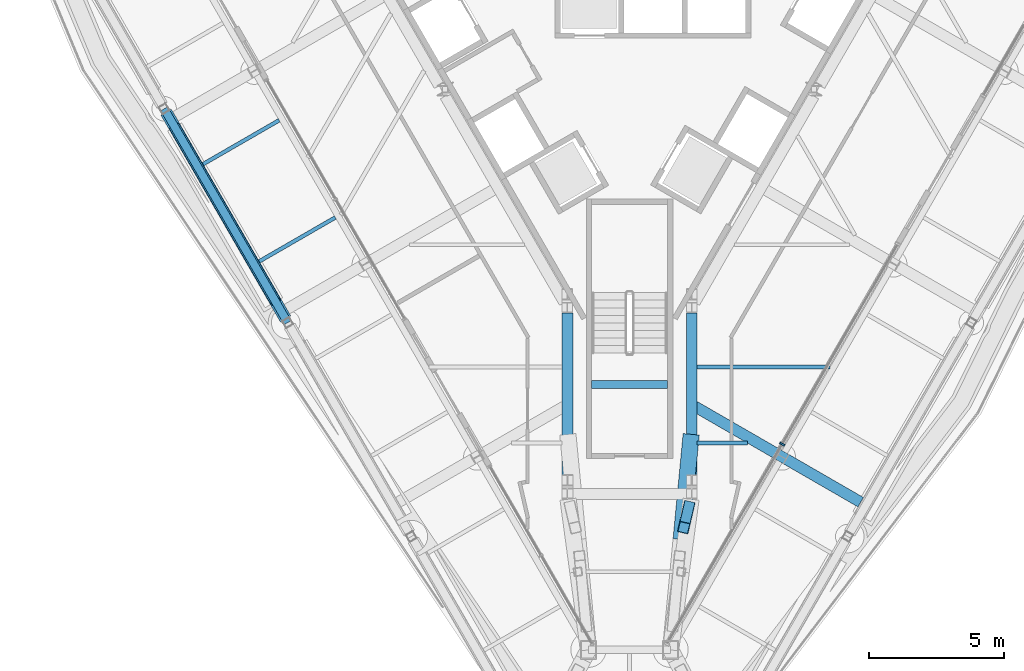
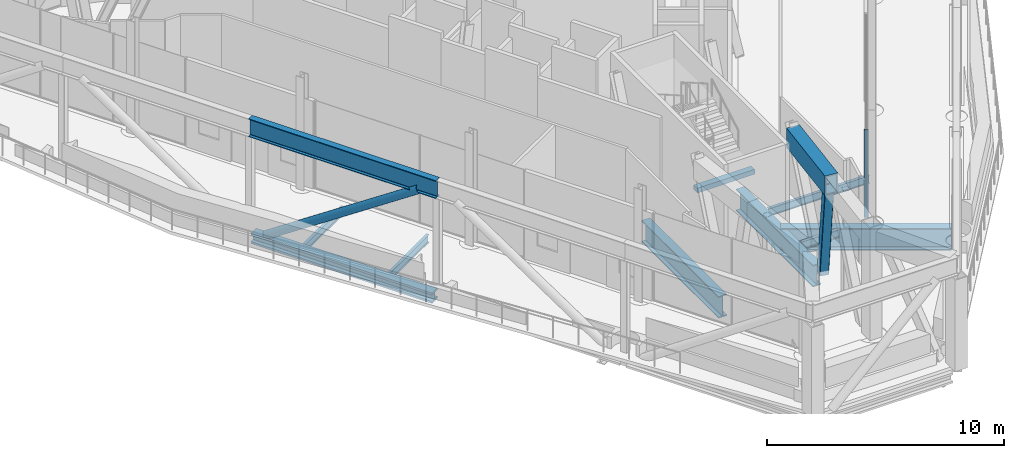
# One storey, part 6 of 25: 11 beams, 3 members, 1 element without a shape of its own.
"""IFC4 building model written with IfcOpenShell, lengths in metres."""

from ifc_helpers import new_model, si_unit, direction, frame, origin, origin_2d, place, context, subcontext, project, spatial, rectangle, hollow_rectangle, hollow_circle, i_section, extrude, material, material_profile, profile_set, type_object, element, aggregate, save


model = new_model("IFC4")

# Units and contexts
model_context = context("Model", 3, precision=1e-05, world=origin(), true_north=direction((0.0, 1.0)))
body_context = subcontext(model_context, "Body", "Model", "MODEL_VIEW")
ifc_project = project(units=[si_unit("LENGTHUNIT", "METRE"), si_unit("AREAUNIT", "SQUARE_METRE"), si_unit("VOLUMEUNIT", "CUBIC_METRE"), si_unit("PLANEANGLEUNIT", "RADIAN"), si_unit("MASSUNIT", "GRAM", prefix="KILO")], contexts=[model_context])

# Site, building, storey
site_placement = place(None, origin())
site = spatial("IfcSite", under=ifc_project, at=site_placement, CompositionType="ELEMENT")
building_placement = place(site_placement, origin())
building = spatial("IfcBuilding", under=site, at=building_placement, Name="Verrane Prism Tower", CompositionType="ELEMENT")
storey_placement = place(building_placement, frame((0.0, 0.0, 258.199951171875)))
storey = spatial("IfcBuildingStorey", under=building, at=storey_placement, Name="L65", CompositionType="ELEMENT", Elevation=258.199951171875)

# Beams
ifc_material_1 = material(Name="Steel A992", Category="steel")
ifc_material_profile_1 = material_profile(ifc_material_1, i_section(OverallWidth=0.44189453125, OverallDepth=0.53076171875, WebThickness=0.06591796875, FlangeThickness=0.105712890625, FilletRadius=0.01513671875, at=origin_2d()), Name="W14x605")
ifc_profile_set_1 = profile_set([ifc_material_profile_1], Name="Steel A992")
beam_type_1 = type_object("IfcBeamType", Name="Belt truss chord W14x605", PredefinedType="BEAM", material=ifc_profile_set_1)
beam_1_placement = place(storey_placement, frame((-17.1337890625, -4.7919921875, -0.424560546875), z_axis=(0.500260093954, -0.865875186385, 0.0), x_axis=(0.865875186385, 0.500260093954, 0.0)))
element("IfcBeam", 1, at=beam_1_placement, inside=storey, type_object=beam_type_1, Name="Belt truss chord L65", PredefinedType="BEAM", context=body_context, shape_type="SweptSolid", body=[
    extrude(i_section(OverallWidth=0.44189453125, OverallDepth=0.53076171875, WebThickness=0.06591796875, FlangeThickness=0.105712890625, FilletRadius=0.01513671875, at=origin_2d()), origin(), (0.0, 0.0, 1.0), 8.830322265625),
])
ifc_material_2 = material(Name="Steel A992", Category="steel")
ifc_material_profile_2 = material_profile(ifc_material_2, i_section(OverallWidth=0.307373046875, OverallDepth=0.927001953125, WebThickness=0.01953125, FlangeThickness=0.031982421875, FilletRadius=0.01904296875, at=origin_2d()), Name="W36x194")
ifc_profile_set_2 = profile_set([ifc_material_profile_2], Name="Steel A992")
beam_type_2 = type_object("IfcBeamType", Name="Belt truss chord W36x194", PredefinedType="BEAM", material=ifc_profile_set_2)
beam_2_placement = place(storey_placement, frame((-17.2099609375, -4.659912109375, 5.176513671875), z_axis=(0.50025756172, -0.86587664938, 0.0), x_axis=(0.86587664938, 0.50025756172, 0.0)))
element("IfcBeam", 2, at=beam_2_placement, inside=storey, type_object=beam_type_2, Name="Belt truss chord L65", PredefinedType="BEAM", context=body_context, shape_type="SweptSolid", body=[
    extrude(i_section(OverallWidth=0.307373046875, OverallDepth=0.927001953125, WebThickness=0.01953125, FlangeThickness=0.031982421875, FilletRadius=0.01904296875, at=origin_2d()), origin(), (0.0, 0.0, 1.0), 9.135498046875),
])

# Member
ifc_material_3 = material(Name="Steel A500 Grade C", Category="steel")
ifc_material_profile_3 = material_profile(ifc_material_3, hollow_circle(Radius=0.203125, WallThickness=0.0126953125, at=origin_2d()), Name="HSS16.000x0.500")
ifc_profile_set_3 = profile_set([ifc_material_profile_3], Name="Steel A500 Grade C")
member_type_1 = type_object("IfcMemberType", Name="Belt truss diagonal HSS16.000x0.500", PredefinedType="BRACE", material=ifc_profile_set_3)
member_1_placement = place(storey_placement, frame((-16.8232421875, -5.329345703125, -0.158935546875), z_axis=(0.415978711163, -0.719994533084, 0.555490399727), x_axis=(0.865874517809, 0.500261251158, 0.0)))
element("IfcMember", 3, at=member_1_placement, inside=storey, type_object=member_type_1, Name="Belt truss diagonal L65", PredefinedType="BRACE", context=body_context, shape_type="SweptSolid", body=[
    extrude(hollow_circle(Radius=0.203125, WallThickness=0.0126953125, at=origin_2d()), origin(), (0.0, 0.0, 1.0), 8.977294921875),
])

# Beams
ifc_material_4 = material(Name="Steel A992", Category="steel")
ifc_material_profile_4 = material_profile(ifc_material_4, i_section(OverallWidth=0.140380859375, OverallDepth=0.40380859375, WebThickness=0.007080078125, FlangeThickness=0.01123046875, FilletRadius=0.01025390625, at=origin_2d()), Name="W16x31")
ifc_profile_set_4 = profile_set([ifc_material_profile_4], Name="Steel A992")
beam_type_3 = type_object("IfcBeamType", Name="Floor beam W16x31", PredefinedType="BEAM", material=ifc_profile_set_4)
for number, where, z_axis, x_axis, name in (
    (4, (-13.69384765625, -10.30419921875, -0.36181640625), (0.866032882975, 0.499987045439, 0.0), (-0.499987045439, 0.866032882975, 0.0), "Floor beam L65"),
    (5, (-15.77099609375, -6.708984375, -0.36181640625), (0.866065428515, 0.499930668725, 0.0), (-0.499930668725, 0.866065428515, 0.0), "Floor beam L65"),
):
    element("IfcBeam", number, at=place(storey_placement, frame(where, z_axis=z_axis, x_axis=x_axis)), inside=storey, type_object=beam_type_3, Name=name, PredefinedType="BEAM", context=body_context, shape_type="SweptSolid", body=[
        extrude(i_section(OverallWidth=0.140380859375, OverallDepth=0.40380859375, WebThickness=0.007080078125, FlangeThickness=0.01123046875, FilletRadius=0.01025390625, at=origin_2d()), origin(), (0.0, 0.0, 1.0), 3.248046875),
    ])
beam_3_placement = place(storey_placement, frame((2.501953125, -17.023193359375, -0.36181640625), z_axis=(1.0, 0.0, 0.0), x_axis=(0.0, 1.0, 0.0)))
element("IfcBeam", 6, at=beam_3_placement, inside=storey, type_object=beam_type_3, Name="Floor beam L65", PredefinedType="BEAM", context=body_context, shape_type="SweptSolid", body=[
    extrude(i_section(OverallWidth=0.140380859375, OverallDepth=0.40380859375, WebThickness=0.007080078125, FlangeThickness=0.01123046875, FilletRadius=0.01025390625, at=origin_2d()), origin(), (0.0, 0.0, 1.0), 1.857177734375),
])
beam_4_placement = place(storey_placement, frame((2.501953125, -14.2099609375, -0.36181640625), z_axis=(1.0, 0.0, 0.0), x_axis=(0.0, 1.0, 0.0)))
element("IfcBeam", 7, at=beam_4_placement, inside=storey, type_object=beam_type_3, Name="Floor beam L65", PredefinedType="BEAM", context=body_context, shape_type="SweptSolid", body=[
    extrude(i_section(OverallWidth=0.140380859375, OverallDepth=0.40380859375, WebThickness=0.007080078125, FlangeThickness=0.01123046875, FilletRadius=0.01025390625, at=origin_2d()), origin(), (0.0, 0.0, 1.0), 4.921142578125),
])

# Curtain wall, member
ifc_material_5 = material(Name="Aluminium framed insulated glazing", Category="aluminium")
curtain_wall_type = type_object("IfcCurtainWallType", Name="Curtain wall CW-A 8400 module", PredefinedType="NOTDEFINED", material=ifc_material_5)
curtain_wall_placement = place(storey_placement, origin())
curtain_wall = element("IfcCurtainWall", 8, at=curtain_wall_placement, inside=storey, type_object=curtain_wall_type, Name="Refuge lounge glazing south-east face L65 1", PredefinedType="NOTDEFINED")
ifc_material_6 = material(Name="Aluminium alloy 6063-T6", Category="aluminium")
ifc_material_profile_5 = material_profile(ifc_material_6, rectangle(XDim=0.199951171875, YDim=0.070068359375, at=origin_2d()), Name="Mullion 70x200 aluminium")
ifc_profile_set_5 = profile_set([ifc_material_profile_5], Name="Aluminium alloy 6063-T6")
member_type_2 = type_object("IfcMemberType", Name="Mullion 70x200 aluminium", PredefinedType="MULLION", material=ifc_profile_set_5)
member_2_placement = place(storey_placement, frame((5.646728515625, -17.06298828125, 0.0), z_axis=(0.0, 0.0, 1.0), x_axis=(-0.866026683082, 0.499997784185, 0.0)))
member_2 = element("IfcMember", 9, at=member_2_placement, type_object=member_type_2, Name="CW65.6.1 mullion 2", PredefinedType="MULLION", context=body_context, shape_type="SweptSolid", body=[
    extrude(rectangle(XDim=0.199951171875, YDim=0.070068359375, at=origin_2d()), origin(), (0.0, 0.0, 1.0), 4.5224609375),
])
aggregate(curtain_wall, [member_2])

# Beam
ifc_material_7 = material(Name="Steel A572 Grade 50", Category="steel")
ifc_material_profile_6 = material_profile(ifc_material_7, hollow_rectangle(XDim=0.60009765625, YDim=1.0, WallThickness=0.06005859375, at=origin_2d()), Name="BOX 1000x600x60")
ifc_profile_set_6 = profile_set([ifc_material_profile_6], Name="Steel A572 Grade 50")
beam_type_4 = type_object("IfcBeamType", Name="Outrigger truss chord BOX 1000x600x60", PredefinedType="BEAM", material=ifc_profile_set_6)
beam_5_placement = place(storey_placement, frame((1.909912109375, -20.5849609375, 5.14013671875), z_axis=(0.09507474755, 0.995470136357, 0.0), x_axis=(-0.995470136357, 0.09507474755, 0.0)))
element("IfcBeam", 10, at=beam_5_placement, inside=storey, type_object=beam_type_4, Name="Outrigger truss chord L65", PredefinedType="BEAM", context=body_context, shape_type="SweptSolid", body=[
    extrude(hollow_rectangle(XDim=0.60009765625, YDim=1.0, WallThickness=0.06005859375, at=origin_2d()), origin(), (0.0, 0.0, 1.0), 3.903076171875),
])

# Member
ifc_material_8 = material(Name="Steel A500 Grade C", Category="steel")
ifc_material_profile_7 = material_profile(ifc_material_8, hollow_rectangle(XDim=0.406494140625, YDim=0.406494140625, WallThickness=0.01904296875, InnerFilletRadius=0.009521484375, OuterFilletRadius=0.028564453125, at=origin_2d()), Name="HSS16x16x3/4")
ifc_profile_set_7 = profile_set([ifc_material_profile_7], Name="Steel A500 Grade C")
member_type_3 = type_object("IfcMemberType", Name="Outrigger truss diagonal HSS16x16x3/4", PredefinedType="BRACE", material=ifc_profile_set_7)
member_3_placement = place(storey_placement, frame((2.1884765625, -19.381591796875, -0.219970703125), z_axis=(-0.035718529414, -0.154290328019, 0.987379704742), x_axis=(0.97423453232, -0.225537305196, 0.0)))
element("IfcMember", 11, at=member_3_placement, inside=storey, type_object=member_type_3, Name="Outrigger truss diagonal L65", PredefinedType="BRACE", context=body_context, shape_type="SweptSolid", body=[
    extrude(hollow_rectangle(XDim=0.406494140625, YDim=0.406494140625, WallThickness=0.01904296875, InnerFilletRadius=0.009521484375, OuterFilletRadius=0.028564453125, at=origin_2d()), origin(), (0.0, 0.0, 1.0), 4.98291015625),
])

# Beams
ifc_material_9 = material(Name="Concrete C40/50", Category="concrete")
ifc_material_profile_8 = material_profile(ifc_material_9, rectangle(XDim=0.300048828125, YDim=0.25, at=origin_2d()), Name="RC 300x250")
ifc_profile_set_8 = profile_set([ifc_material_profile_8], Name="Concrete C40/50")
beam_type_5 = type_object("IfcBeamType", Name="Stair landing trimmer beam 300x250 concrete C40/50", PredefinedType="BEAM", material=ifc_profile_set_8)
beam_6_placement = place(storey_placement, frame((1.39990234375, -14.85009765625, 2.574951171875), z_axis=(-1.0, 0.0, 0.0), x_axis=(0.0, -1.0, 0.0)))
element("IfcBeam", 12, at=beam_6_placement, inside=storey, type_object=beam_type_5, Name="Stair 3 landing trimmer beam", PredefinedType="BEAM", context=body_context, shape_type="SweptSolid", body=[
    extrude(rectangle(XDim=0.300048828125, YDim=0.25, at=origin_2d()), origin(), (0.0, 0.0, 1.0), 2.7998046875),
])
ifc_material_10 = material(Name="Steel A992", Category="steel")
ifc_material_profile_9 = material_profile(ifc_material_10, i_section(OverallWidth=0.40380859375, OverallDepth=1.11767578125, WebThickness=0.026123046875, FlangeThickness=0.044921875, FilletRadius=0.02001953125, at=origin_2d()), Name="W44x335")
ifc_profile_set_9 = profile_set([ifc_material_profile_9], Name="Steel A992")
beam_type_6 = type_object("IfcBeamType", Name="Transfer girder W44x335", PredefinedType="BEAM", material=ifc_profile_set_9)
for number, where, z_axis, x_axis, name in (
    (13, (-2.300048828125, -12.212890625, -0.808837890625), (0.0, -1.0, 0.0), (1.0, 0.0, 0.0), "Transfer girder L65"),
    (14, (2.300048828125, -18.70068359375, -0.808837890625), (0.0, 1.0, 0.0), (-1.0, 0.0, 0.0), "Transfer girder L65"),
):
    element("IfcBeam", number, at=place(storey_placement, frame(where, z_axis=z_axis, x_axis=x_axis)), inside=storey, type_object=beam_type_6, Name=name, PredefinedType="BEAM", context=body_context, shape_type="SweptSolid", body=[
        extrude(i_section(OverallWidth=0.40380859375, OverallDepth=1.11767578125, WebThickness=0.026123046875, FlangeThickness=0.044921875, FilletRadius=0.02001953125, at=origin_2d()), origin(), (0.0, 0.0, 1.0), 6.48779296875),
    ])
beam_7_placement = place(storey_placement, frame((8.549560546875, -19.209716796875, -0.71875), z_axis=(-0.866040231828, 0.499974316195, 0.0), x_axis=(-0.499974316195, -0.866040231828, 0.0)))
element("IfcBeam", 15, at=beam_7_placement, inside=storey, type_object=beam_type_6, Name="Transfer girder L65", PredefinedType="BEAM", context=body_context, shape_type="SweptSolid", body=[
    extrude(i_section(OverallWidth=0.40380859375, OverallDepth=1.11767578125, WebThickness=0.026123046875, FlangeThickness=0.044921875, FilletRadius=0.02001953125, at=origin_2d()), origin(), (0.0, 0.0, 1.0), 7.21630859375),
])

save(model, "model.ifc")
